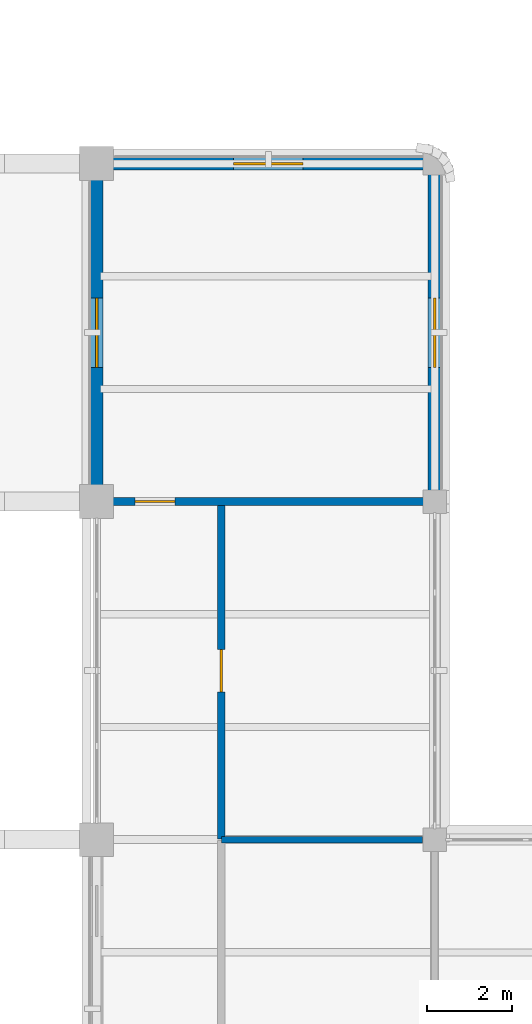
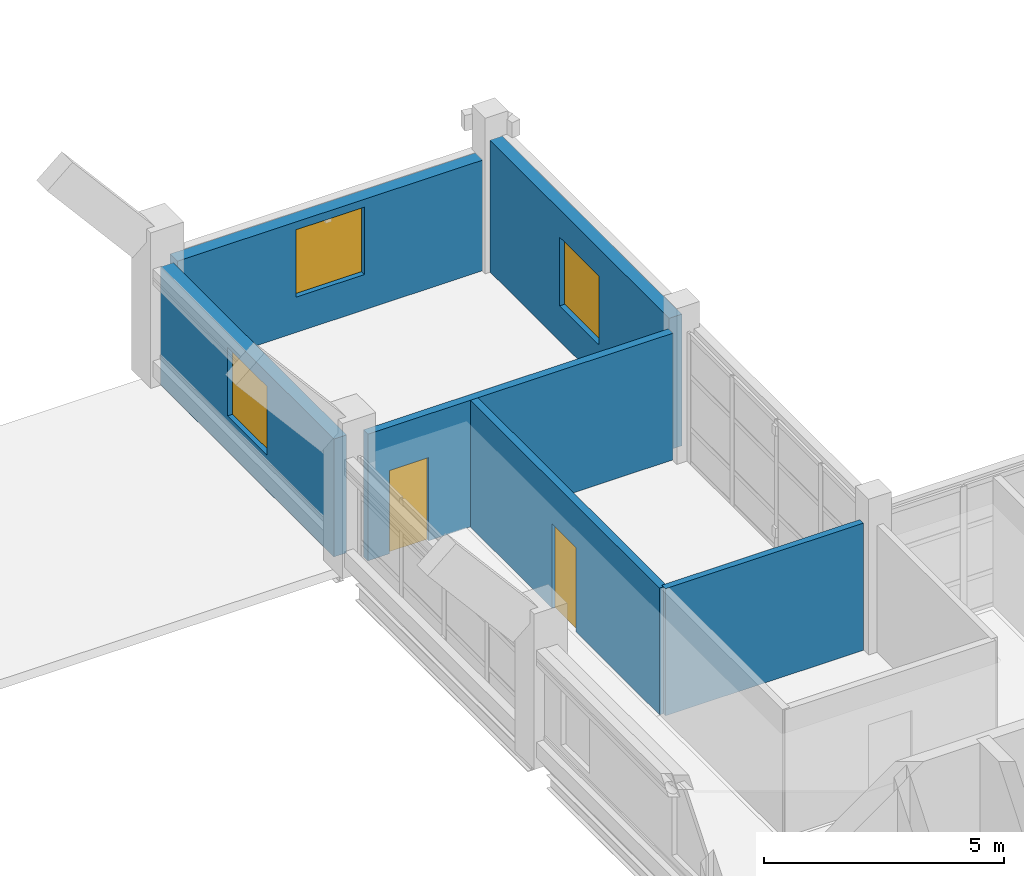
# One storey, part 71 of 92: 6 walls, 3 windows, 2 doors, 5 openings.
"""IFC4 building model written with IfcOpenShell, lengths in metres."""

import ifcopenshell
import ifcopenshell.guid

model = None  # the IFC model being written
_history = None  # IfcOwnerHistory: only IFC2X3 demands one
_inside = {}  # id of a spatial element -> (the spatial element, [elements in it])
_under = {}  # id of a project, library or spatial element -> (it, [spatial elements below it])
_declared = {}  # id of a project -> (the project, [libraries it declares])
_typed = {}  # id of a type object -> (the type object, [elements of that type])
_made_of = {}  # id of a material, layer set ... -> (it, [elements and type objects made of it])


def new_model(schema):
    """Start an empty IFC model of exactly this schema.

    Asked for "IFC4X3", IfcOpenShell would pick the latest addendum, in which some entities
    have other attributes; the version numbers below select the first issue.
    IFC2X3 requires an IfcOwnerHistory on every rooted entity: one is made here for all.
    """
    global model, _history
    if schema == "IFC4X3":
        model = ifcopenshell.file(schema_version=(4, 3, 0, 0))
    else:
        model = ifcopenshell.file(schema=schema)
    _inside.clear()
    _under.clear()
    _declared.clear()
    _typed.clear()
    _made_of.clear()
    _history = None
    if model.schema == "IFC2X3":
        org = make("IfcOrganization", Name="unknown")
        user = make(
            "IfcPersonAndOrganization",
            ThePerson=make("IfcPerson", FamilyName="unknown"),
            TheOrganization=org,
        )
        app = make(
            "IfcApplication",
            ApplicationDeveloper=org,
            Version="unknown",
            ApplicationFullName="unknown",
            ApplicationIdentifier="unknown",
        )
        _history = make(
            "IfcOwnerHistory",
            OwningUser=user,
            OwningApplication=app,
            ChangeAction="ADDED",
            CreationDate=0,
        )
    return model


def make(cls, **values):
    """One entity of the class cls with the attributes given. An attribute that is None is left unset."""
    return model.create_entity(
        cls, **{name: value for name, value in values.items() if value is not None}
    )


def rooted(cls, **values):
    """An entity with a GlobalId (a new one), such as an element, a storey or a relation."""
    return make(cls, GlobalId=ifcopenshell.guid.new(), OwnerHistory=_history, **values)


def si_unit(unit_type, name, prefix=None):
    """IfcSIUnit, for example si_unit("LENGTHUNIT", "METRE", prefix="MILLI")."""
    return make("IfcSIUnit", UnitType=unit_type, Prefix=prefix, Name=name)


def derived_unit(unit_type, elements):
    """IfcDerivedUnit: a product of units, each with its exponent."""
    return make(
        "IfcDerivedUnit",
        Elements=[
            make("IfcDerivedUnitElement", Unit=unit, Exponent=power)
            for unit, power in elements
        ],
        UnitType=unit_type,
    )


def assignment(units):
    """IfcUnitAssignment: the units of a project."""
    return None if units is None else make("IfcUnitAssignment", Units=units)


def point(xyz):
    """IfcCartesianPoint."""
    return None if xyz is None else make("IfcCartesianPoint", Coordinates=xyz)


def direction(xyz):
    """IfcDirection."""
    return None if xyz is None else make("IfcDirection", DirectionRatios=xyz)


def frame(location, z_axis=None, x_axis=None):
    """IfcAxis2Placement3D, a coordinate frame: its origin and axes. An axis left out is left unset."""
    return make(
        "IfcAxis2Placement3D",
        Location=point(location),
        Axis=direction(z_axis),
        RefDirection=direction(x_axis),
    )


def frame_2d(location, x_axis=None):
    """IfcAxis2Placement2D, a coordinate frame in the plane: its origin and x axis."""
    return make(
        "IfcAxis2Placement2D", Location=point(location), RefDirection=direction(x_axis)
    )


def origin():
    """The frame at (0, 0, 0) with its axes left unset."""
    return frame((0.0, 0.0, 0.0))


def place(relative_to, where):
    """IfcLocalPlacement: puts the frame where relative to a parent placement (None: the world)."""
    return make(
        "IfcLocalPlacement", PlacementRelTo=relative_to, RelativePlacement=where
    )


def context(
    kind, dimensions, precision=None, world=None, true_north=None, identifier=None
):
    """IfcGeometricRepresentationContext, for example the 3D "Model" context."""
    return make(
        "IfcGeometricRepresentationContext",
        ContextIdentifier=identifier,
        ContextType=kind,
        CoordinateSpaceDimension=dimensions,
        Precision=precision,
        WorldCoordinateSystem=world,
        TrueNorth=true_north,
    )


def subcontext(parent, identifier, kind, view, scale=None):
    """IfcGeometricRepresentationSubContext, for example "Body" below "Model"."""
    return make(
        "IfcGeometricRepresentationSubContext",
        ContextIdentifier=identifier,
        ContextType=kind,
        ParentContext=parent,
        TargetScale=scale,
        TargetView=view,
    )


def project(units=None, contexts=None):
    """IfcProject with its units and contexts."""
    return rooted(
        "IfcProject",
        Name="project",
        RepresentationContexts=contexts,
        UnitsInContext=assignment(units),
    )


def spatial(cls, under=None, at=None, **own):
    """A site, building, storey or space (cls), placed at a placement, below another one or the project."""
    s = rooted(cls, ObjectPlacement=at, **own)
    if under is not None:
        _under.setdefault(under.id(), (under, []))[1].append(s)
    return s


def profile(cls, at=None, kind="AREA", **sizes):
    """A parametric profile (cls). Its sizes go by their IFC names, for example OverallWidth=200.0."""
    return make(cls, ProfileType=kind, Position=at, **sizes)


def rectangle(**sizes):
    """IfcRectangleProfileDef."""
    return profile("IfcRectangleProfileDef", **sizes)


def extrude(swept, where, along, depth):
    """IfcExtrudedAreaSolid: the profile swept, set in the frame where, extruded along a direction by depth."""
    return make(
        "IfcExtrudedAreaSolid",
        SweptArea=swept,
        Position=where,
        ExtrudedDirection=direction(along),
        Depth=depth,
    )


def shape(context_of_items, identifier, shape_type, items):
    """IfcShapeRepresentation: the items that make up one representation, for example the "Body"."""
    return make(
        "IfcShapeRepresentation",
        ContextOfItems=context_of_items,
        RepresentationIdentifier=identifier,
        RepresentationType=shape_type,
        Items=items,
    )


def material(Name=None, Category=None):
    """IfcMaterial."""
    return make("IfcMaterial", Name=Name, Category=Category)


def layer(
    of_material, thickness, ventilated=None, Name=None, Category=None, Priority=None
):
    """IfcMaterialLayer: one layer of a wall or slab, of a material (None: an air gap)."""
    return make(
        "IfcMaterialLayer",
        Material=of_material,
        LayerThickness=thickness,
        IsVentilated=ventilated,
        Name=Name,
        Category=Category,
        Priority=Priority,
    )


def layer_set(layers, Name=None):
    """IfcMaterialLayerSet."""
    return make("IfcMaterialLayerSet", MaterialLayers=layers, LayerSetName=Name)


def made_of(thing, what):
    """Note that an element or type object is made of a material, layer set ...; save() writes the relation."""
    if what is not None:
        _made_of.setdefault(what.id(), (what, []))[1].append(thing)
    return thing


def type_object(cls, material=None, **own):
    """A type object (cls), such as IfcWallType, which elements share."""
    return made_of(rooted(cls, **own), material)


def element(
    cls,
    number,
    at=None,
    inside=None,
    cuts=None,
    type_object=None,
    material=None,
    context=None,
    identifier="Body",
    shape_type=None,
    held_by="IfcProductDefinitionShape",
    body=None,
    shapes=None,
    **own,
):
    """One element of the class cls, such as IfcWall. Its Tag is "e" and its number.

    at: its placement. inside: the storey or other place that contains it. cuts: it is an
    opening in that element (IfcRelVoidsElement). A single representation is given by context,
    identifier, shape_type and body (its items); several are given by shapes. held_by: the class
    of the entity that holds the representations. save() writes the other relations.
    """
    e = rooted(cls, Tag="e%d" % number, ObjectPlacement=at, **own)
    if body is not None:
        shapes = [shape(context, identifier, shape_type, body)]
    if shapes is not None:
        e.Representation = make(held_by, Representations=shapes)
    if inside is not None:
        _inside.setdefault(inside.id(), (inside, []))[1].append(e)
    if cuts is not None:
        rooted(
            "IfcRelVoidsElement", RelatingBuildingElement=cuts, RelatedOpeningElement=e
        )
    if type_object is not None:
        _typed.setdefault(type_object.id(), (type_object, []))[1].append(e)
    return made_of(e, material)


def fill(opening, filler):
    """IfcRelFillsElement: the door or window that sits in an opening."""
    return rooted(
        "IfcRelFillsElement",
        RelatingOpeningElement=opening,
        RelatedBuildingElement=filler,
    )


def aggregate(whole, parts):
    """IfcRelAggregates: a whole, such as a stair, and the parts it consists of."""
    return rooted("IfcRelAggregates", RelatingObject=whole, RelatedObjects=parts)


def save(model, path):
    """Write the relations noted so far, then the file.

    IfcRelAggregates (storeys below a building ...), IfcRelContainedInSpatialStructure (elements
    in a storey), IfcRelDefinesByType, IfcRelAssociatesMaterial and IfcRelDeclares: one each for
    every whole, place, type object, material and project.
    """
    for whole, parts in _under.values():
        aggregate(whole, parts)
    for where, things in _inside.values():
        rooted(
            "IfcRelContainedInSpatialStructure",
            RelatedElements=things,
            RelatingStructure=where,
        )
    for kind, things in _typed.values():
        rooted("IfcRelDefinesByType", RelatedObjects=things, RelatingType=kind)
    for what, things in _made_of.values():
        rooted("IfcRelAssociatesMaterial", RelatedObjects=things, RelatingMaterial=what)
    for by, libraries in _declared.values():
        rooted("IfcRelDeclares", RelatingContext=by, RelatedDefinitions=libraries)
    model.write(path)


model = new_model("IFC4")

# Units and contexts
model_context = context("Model", 3, precision=1e-05, world=origin(), true_north=direction((0.0, 1.0)))
body_context = subcontext(model_context, "Body", "Model", "MODEL_VIEW")
ifc_project = project(units=[si_unit("LENGTHUNIT", "METRE"), si_unit("AREAUNIT", "SQUARE_METRE"), si_unit("VOLUMEUNIT", "CUBIC_METRE"), si_unit("PLANEANGLEUNIT", "RADIAN"), si_unit("MASSUNIT", "GRAM", prefix="KILO"), derived_unit("THERMALTRANSMITTANCEUNIT", [(si_unit("MASSUNIT", "GRAM", prefix="KILO"), 1), (si_unit("TIMEUNIT", "SECOND"), -3), (si_unit("THERMODYNAMICTEMPERATUREUNIT", "KELVIN"), -1)])], contexts=[model_context])

# Site, building, storey
site_placement = place(None, origin())
site = spatial("IfcSite", under=ifc_project, at=site_placement, CompositionType="ELEMENT")
building_placement = place(site_placement, origin())
building = spatial("IfcBuilding", under=site, at=building_placement, Name="Veyamyaing Civic Hall", CompositionType="ELEMENT")
storey_placement = place(building_placement, frame((0.0, 0.0, 17.820068359375)))
storey = spatial("IfcBuildingStorey", under=building, at=storey_placement, Name="L04", CompositionType="ELEMENT", Elevation=17.820068359375)

# Wall, opening, window
ifc_material_1 = material(Name="Precast concrete C40/50", Category="concrete")
ifc_layer_1 = layer(ifc_material_1, 0.304931640625, Name="Precast concrete C40/50")
ifc_layer_set_1 = layer_set([ifc_layer_1], Name="Precast concrete C40/50")
wall_type_1 = type_object("IfcWallType", Name="WT-03", PredefinedType="SOLIDWALL", material=ifc_layer_set_1)
wall_1_placement = place(storey_placement, frame((104.385009765625, 80.0, 0.0), z_axis=(0.0, 0.0, 1.0), x_axis=(1.0, 0.0, 0.0)))
wall_1 = element("IfcWall", 1, at=wall_1_placement, inside=storey, type_object=wall_type_1, Name="Exterior facade wall WT-03 L04 N 14.10", PredefinedType="SOLIDWALL", context=body_context, shape_type="SweptSolid", body=[
    extrude(rectangle(XDim=7.35498046875, YDim=0.304931640625, at=frame_2d((3.677490234375, 0.0))), origin(), (0.0, 0.0, 1.0), 2.81689453125),
])
opening_1_placement = place(wall_1_placement, frame((2.8525390625, 0.0, 0.89990234375)))
opening_1 = element("IfcOpeningElement", 2, at=opening_1_placement, cuts=wall_1, Name="Opening W-35", PredefinedType="OPENING", context=body_context, shape_type="SweptSolid", body=[
    extrude(rectangle(XDim=1.64990234375, YDim=1.717041015625, at=frame_2d((0.824951171875, 0.8583984375))), frame((0.0, 0.162353515625, 0.0), z_axis=(0.0, -1.0, 0.0), x_axis=(1.0, 0.0, 0.0)), (0.0, 0.0, 1.0), 0.324951171875),
])
ifc_material_2 = material(Name="Low-E insulated glass", Category="glass")
window_type_1 = type_object("IfcWindowType", Name="W-35", PartitioningType="SINGLE_PANEL", PredefinedType="WINDOW", material=ifc_material_2)
window_1_placement = place(opening_1_placement, origin())
window_1 = element("IfcWindow", 3, at=window_1_placement, inside=storey, type_object=window_type_1, Name="Facade window W-35 L04 N 14.10", OverallHeight=1.717041015625, OverallWidth=1.64990234375, PartitioningType="SINGLE_PANEL", PredefinedType="WINDOW", context=body_context, shape_type="SweptSolid", body=[
    extrude(rectangle(XDim=1.64990234375, YDim=1.717041015625, at=frame_2d((0.824951171875, 0.8583984375))), frame((0.0, 0.030029296875, 0.0), z_axis=(0.0, -1.0, 0.0), x_axis=(1.0, 0.0, 0.0)), (0.0, 0.0, 1.0), 0.06005859375),
])
fill(opening_1, window_1)

wall_2_placement = place(storey_placement, frame((104.0, 72.385009765625, 0.0), z_axis=(0.0, 0.0, 1.0), x_axis=(0.0, 1.0, 0.0)))
wall_2 = element("IfcWall", 4, at=wall_2_placement, inside=storey, type_object=wall_type_1, Name="Exterior facade wall WT-03 L04 W 14.10", PredefinedType="SOLIDWALL", context=body_context, shape_type="SweptSolid", body=[
    extrude(rectangle(XDim=7.22998046875, YDim=0.304931640625, at=frame_2d((3.614990234375, 0.0))), origin(), (0.0, 0.0, 1.0), 3.001953125),
])
opening_2_placement = place(wall_2_placement, frame((2.7900390625, 0.0, 0.89990234375)))
opening_2 = element("IfcOpeningElement", 5, at=opening_2_placement, cuts=wall_2, Name="Opening W-24", PredefinedType="OPENING", context=body_context, shape_type="SweptSolid", body=[
    extrude(rectangle(XDim=1.64990234375, YDim=1.75, at=frame_2d((0.824951171875, 0.875))), frame((0.0, 0.162353515625, 0.0), z_axis=(0.0, -1.0, 0.0), x_axis=(1.0, 0.0, 0.0)), (0.0, 0.0, 1.0), 0.324951171875),
])
window_type_2 = type_object("IfcWindowType", Name="W-24", PartitioningType="SINGLE_PANEL", PredefinedType="WINDOW", material=ifc_material_2)
window_2_placement = place(opening_2_placement, origin())
window_2 = element("IfcWindow", 6, at=window_2_placement, inside=storey, type_object=window_type_2, Name="Facade window W-24 L04 W 14.10", OverallHeight=1.75, OverallWidth=1.64990234375, PartitioningType="SINGLE_PANEL", PredefinedType="WINDOW", context=body_context, shape_type="SweptSolid", body=[
    extrude(rectangle(XDim=1.64990234375, YDim=1.75, at=frame_2d((0.824951171875, 0.875))), frame((0.0, 0.030029296875, 0.0), z_axis=(0.0, -1.0, 0.0), x_axis=(1.0, 0.0, 0.0)), (0.0, 0.0, 1.0), 0.06005859375),
])
fill(opening_2, window_2)

wall_3_placement = place(storey_placement, frame((112.0, 72.260009765625, 0.0), z_axis=(0.0, 0.0, 1.0), x_axis=(0.0, 1.0, 0.0)))
wall_3 = element("IfcWall", 7, at=wall_3_placement, inside=storey, type_object=wall_type_1, Name="Exterior facade wall WT-03 L04 E 14.10", PredefinedType="SOLIDWALL", context=body_context, shape_type="SweptSolid", body=[
    extrude(rectangle(XDim=7.47998046875, YDim=0.304931640625, at=frame_2d((3.739990234375, 0.0))), origin(), (0.0, 0.0, 1.0), 3.35205078125),
])
opening_3_placement = place(wall_3_placement, frame((2.9150390625, 0.0, 0.89990234375)))
opening_3 = element("IfcOpeningElement", 8, at=opening_3_placement, cuts=wall_3, Name="Opening W-24", PredefinedType="OPENING", context=body_context, shape_type="SweptSolid", body=[
    extrude(rectangle(XDim=1.64990234375, YDim=1.75, at=frame_2d((0.824951171875, 0.875))), frame((0.0, 0.162353515625, 0.0), z_axis=(0.0, -1.0, 0.0), x_axis=(1.0, 0.0, 0.0)), (0.0, 0.0, 1.0), 0.324951171875),
])
window_3_placement = place(opening_3_placement, origin())
window_3 = element("IfcWindow", 9, at=window_3_placement, inside=storey, type_object=window_type_2, Name="Facade window W-24 L04 E 14.10", OverallHeight=1.75, OverallWidth=1.64990234375, PartitioningType="SINGLE_PANEL", PredefinedType="WINDOW", context=body_context, shape_type="SweptSolid", body=[
    extrude(rectangle(XDim=1.64990234375, YDim=1.75, at=frame_2d((0.824951171875, 0.875))), frame((0.0, 0.030029296875, 0.0), z_axis=(0.0, -1.0, 0.0), x_axis=(1.0, 0.0, 0.0)), (0.0, 0.0, 1.0), 0.06005859375),
])
fill(opening_3, window_3)

# Wall
ifc_material_3 = material(Name="Gypsum board on steel stud", Category="steel")
ifc_layer_2 = layer(ifc_material_3, 0.14990234375, Name="Gypsum board on steel stud")
ifc_layer_set_2 = layer_set([ifc_layer_2], Name="Gypsum board on steel stud")
wall_type_2 = type_object("IfcWallType", Name="WT-08", PredefinedType="PARTITIONING", material=ifc_layer_set_2)
wall_4_placement = place(storey_placement, frame((106.949951171875, 64.0, 0.0), z_axis=(0.0, 0.0, 1.0), x_axis=(1.0, 0.0, 0.0)))
element("IfcWall", 10, at=wall_4_placement, inside=storey, type_object=wall_type_2, Name="Gallery office end partition WT-08 L04.25.1", PredefinedType="PARTITIONING", context=body_context, shape_type="SweptSolid", body=[
    extrude(rectangle(XDim=4.76513671875, YDim=0.14990234375, at=frame_2d((2.382568359375, 0.0))), origin(), (0.0, 0.0, 1.0), 3.238037109375),
])

# Wall, opening, door
ifc_material_4 = material(Name="Gypsum board on double acoustic stud")
ifc_layer_3 = layer(ifc_material_4, 0.18505859375, Name="Gypsum board on double acoustic stud")
ifc_layer_set_3 = layer_set([ifc_layer_3], Name="Gypsum board on double acoustic stud")
wall_type_3 = type_object("IfcWallType", Name="WT-19", PredefinedType="PARTITIONING", material=ifc_layer_set_3)
wall_5_placement = place(storey_placement, frame((106.949951171875, 64.02001953125, 0.0), z_axis=(0.0, 0.0, 1.0), x_axis=(0.0, 1.0, 0.0)))
wall_5 = element("IfcWall", 11, at=wall_5_placement, inside=storey, type_object=wall_type_3, Name="Corridor gallery partition WT-19 L04.26.1", PredefinedType="PARTITIONING", context=body_context, shape_type="SweptSolid", body=[
    extrude(rectangle(XDim=7.9599609375, YDim=0.18505859375, at=frame_2d((3.97998046875, 0.0))), origin(), (0.0, 0.0, 1.0), 3.225830078125),
])
opening_4_placement = place(wall_5_placement, frame((3.47998046875, 0.0, 0.0)))
opening_4 = element("IfcOpeningElement", 12, at=opening_4_placement, cuts=wall_5, Name="Opening D-13", PredefinedType="OPENING", context=body_context, shape_type="SweptSolid", body=[
    extrude(rectangle(XDim=1.0, YDim=2.14990234375, at=frame_2d((0.5, 1.074951171875))), frame((0.0, 0.1025390625, 0.0), z_axis=(0.0, -1.0, 0.0), x_axis=(1.0, 0.0, 0.0)), (0.0, 0.0, 1.0), 0.205078125),
])
ifc_material_5 = material(Name="Teak-veneered acoustic timber", Category="wood")
door_type_1 = type_object("IfcDoorType", Name="D-13", OperationType="NOTDEFINED", PredefinedType="DOOR", material=ifc_material_5)
door_1_placement = place(opening_4_placement, frame((1.0, 0.0, 0.0), z_axis=(0.0, 0.0, 1.0), x_axis=(-1.0, 0.0, 0.0)))
door_1 = element("IfcDoor", 13, at=door_1_placement, inside=storey, type_object=door_type_1, Name="Gallery office door D-13 L04.26", OperationType="SINGLE_SWING_LEFT", OverallHeight=2.14990234375, OverallWidth=1.0, PredefinedType="DOOR", context=body_context, shape_type="SweptSolid", body=[
    extrude(rectangle(XDim=1.0, YDim=2.14990234375, at=frame_2d((0.5, 1.074951171875))), frame((0.0, 0.02490234375, 0.0), z_axis=(0.0, -1.0, 0.0), x_axis=(1.0, 0.0, 0.0)), (0.0, 0.0, 1.0), 0.050048828125),
])
fill(opening_4, door_1)

wall_6_placement = place(storey_placement, frame((104.389892578125, 72.0, 0.0), z_axis=(0.0, 0.0, 1.0), x_axis=(1.0, 0.0, 0.0)))
wall_6 = element("IfcWall", 14, at=wall_6_placement, inside=storey, type_object=wall_type_3, Name="Interior partition wall WT-19 L04.18", PredefinedType="PARTITIONING", context=body_context, shape_type="SweptSolid", body=[
    extrude(rectangle(XDim=7.34521484375, YDim=0.18505859375, at=frame_2d((3.672607421875, 0.0))), origin(), (0.0, 0.0, 1.0), 3.225830078125),
])
opening_5_placement = place(wall_6_placement, frame((0.52001953125, 0.0, 0.0)))
opening_5 = element("IfcOpeningElement", 15, at=opening_5_placement, cuts=wall_6, Name="Opening D-30", PredefinedType="OPENING", context=body_context, shape_type="SweptSolid", body=[
    extrude(rectangle(XDim=0.93994140625, YDim=2.1201171875, at=frame_2d((0.469970703125, 1.06005859375))), frame((0.0, 0.1025390625, 0.0), z_axis=(0.0, -1.0, 0.0), x_axis=(1.0, 0.0, 0.0)), (0.0, 0.0, 1.0), 0.205078125),
])
door_type_2 = type_object("IfcDoorType", Name="D-30", OperationType="NOTDEFINED", PredefinedType="DOOR", material=ifc_material_5)
door_2_placement = place(opening_5_placement, origin())
door_2 = element("IfcDoor", 16, at=door_2_placement, inside=storey, type_object=door_type_2, Name="Interior door D-30 L04.18", OperationType="SINGLE_SWING_RIGHT", OverallHeight=2.1201171875, OverallWidth=0.93994140625, PredefinedType="DOOR", context=body_context, shape_type="SweptSolid", body=[
    extrude(rectangle(XDim=0.93994140625, YDim=2.1201171875, at=frame_2d((0.469970703125, 1.06005859375))), frame((0.0, 0.02490234375, 0.0), z_axis=(0.0, -1.0, 0.0), x_axis=(1.0, 0.0, 0.0)), (0.0, 0.0, 1.0), 0.050048828125),
])
fill(opening_5, door_2)

save(model, "model.ifc")
